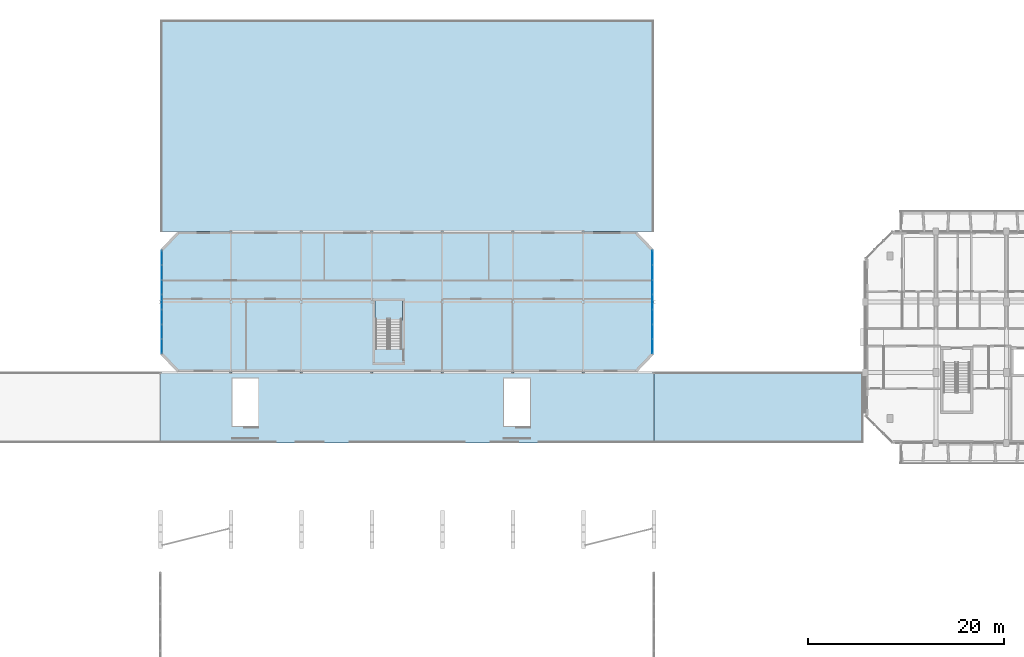
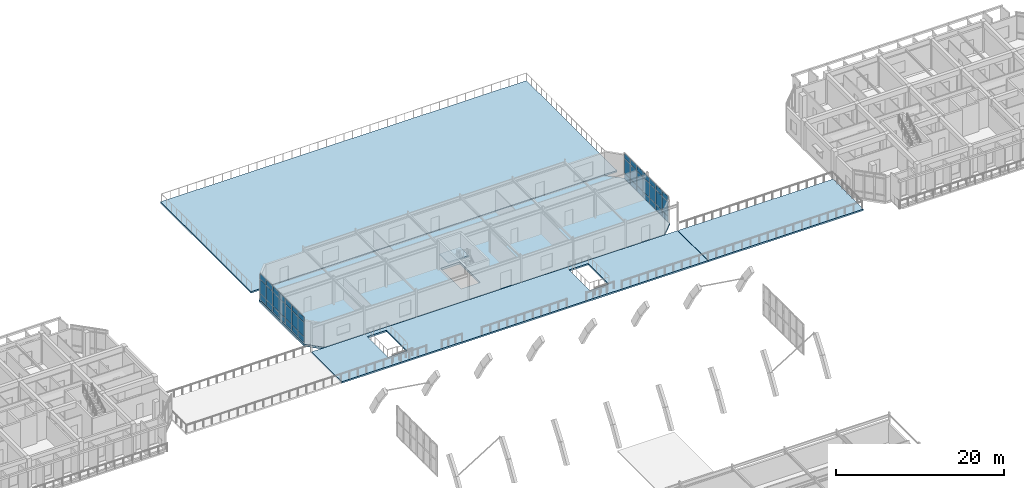
# One storey, part 39 of 85: 42 plates, 5 slabs, 3 elements without a shape of their own.
"""IFC4 building model written with IfcOpenShell, lengths in metres."""

from ifc_helpers import new_model, si_unit, direction, frame, origin, origin_2d, place, context, subcontext, project, spatial, polyline, rectangle, outline, extrude, material, layer, layer_set, type_object, element, aggregate, save


model = new_model("IFC4")

# Units and contexts
model_context = context("Model", 3, precision=1e-05, world=origin(), true_north=direction((0.0, 1.0)))
body_context = subcontext(model_context, "Body", "Model", "MODEL_VIEW")
ifc_project = project(units=[si_unit("LENGTHUNIT", "METRE"), si_unit("AREAUNIT", "SQUARE_METRE"), si_unit("VOLUMEUNIT", "CUBIC_METRE"), si_unit("PLANEANGLEUNIT", "RADIAN"), si_unit("MASSUNIT", "GRAM", prefix="KILO")], contexts=[model_context])

# Site, building, storey
site_placement = place(None, origin())
site = spatial("IfcSite", under=ifc_project, at=site_placement, CompositionType="ELEMENT")
building_placement = place(site_placement, origin())
building = spatial("IfcBuilding", under=site, at=building_placement, Name="Ochrevale Crest", CompositionType="ELEMENT")
storey_placement = place(building_placement, frame((0.0, 0.0, 4.5)))
storey = spatial("IfcBuildingStorey", under=building, at=storey_placement, Name="L01", CompositionType="ELEMENT", Elevation=4.5)

# Curtain wall, plates
ifc_material_1 = material(Name="Anodised aluminium 6063-T5", Category="aluminium")
ifc_layer_1 = layer(ifc_material_1, 0.14990234375)
ifc_layer_set_1 = layer_set([ifc_layer_1], Name="Anodised aluminium 6063-T5")
curtain_wall_type = type_object("IfcCurtainWallType", Name="CW-NUR-540x385", PredefinedType="NOTDEFINED", material=ifc_layer_set_1)
curtain_wall_1_placement = place(storey_placement, origin())
curtain_wall_1 = element("IfcCurtainWall", 1, at=curtain_wall_1_placement, inside=storey, type_object=curtain_wall_type, Name="Nursery Pavilion W glazed playroom curtain wall", PredefinedType="NOTDEFINED")
ifc_material_2 = material(Name="Acoustic laminated low-E insulated glass unit", Category="glass")
ifc_layer_2 = layer(ifc_material_2, 0.0380859375)
ifc_layer_set_2 = layer_set([ifc_layer_2], Name="Acoustic laminated low-E insulated glass unit")
plate_type = type_object("IfcPlateType", Name="CW-PNL-IGU38", PredefinedType="CURTAIN_PANEL", material=ifc_layer_set_2)
plate_1_placement = place(storey_placement, frame((57.75, 81.873291015625, 0.06005859375), z_axis=(0.0, 0.0, 1.0), x_axis=(0.0, 1.0, 0.0)))
plate_1 = element("IfcPlate", 2, at=plate_1_placement, type_object=plate_type, Name="CW10 panel 1.1", PredefinedType="CURTAIN_PANEL", context=body_context, shape_type="SweptSolid", body=[
    extrude(rectangle(XDim=1.416748046875, YDim=0.0380859375, at=origin_2d()), origin(), (0.0, 0.0, 1.0), 0.81005859375),
])
plate_2_placement = place(storey_placement, frame((57.75, 81.873291015625, 0.929931640625), z_axis=(0.0, 0.0, 1.0), x_axis=(0.0, 1.0, 0.0)))
plate_2 = element("IfcPlate", 3, at=plate_2_placement, type_object=plate_type, Name="CW10 panel 1.2", PredefinedType="CURTAIN_PANEL", context=body_context, shape_type="SweptSolid", body=[
    extrude(rectangle(XDim=1.416748046875, YDim=0.0380859375, at=origin_2d()), origin(), (0.0, 0.0, 1.0), 2.0400390625),
])
plate_3_placement = place(storey_placement, frame((57.75, 81.873291015625, 3.02978515625), z_axis=(0.0, 0.0, 1.0), x_axis=(0.0, 1.0, 0.0)))
plate_3 = element("IfcPlate", 4, at=plate_3_placement, type_object=plate_type, Name="CW10 panel 1.3", PredefinedType="CURTAIN_PANEL", context=body_context, shape_type="SweptSolid", body=[
    extrude(rectangle(XDim=1.416748046875, YDim=0.0380859375, at=origin_2d()), origin(), (0.0, 0.0, 1.0), 0.760009765625),
])
plate_4_placement = place(storey_placement, frame((57.75, 83.371337890625, 0.06005859375), z_axis=(0.0, 0.0, 1.0), x_axis=(0.0, 1.0, 0.0)))
plate_4 = element("IfcPlate", 5, at=plate_4_placement, type_object=plate_type, Name="CW10 panel 2.1", PredefinedType="CURTAIN_PANEL", context=body_context, shape_type="SweptSolid", body=[
    extrude(rectangle(XDim=1.44921875, YDim=0.0380859375, at=origin_2d()), origin(), (0.0, 0.0, 1.0), 0.81005859375),
])
plate_5_placement = place(storey_placement, frame((57.75, 83.371337890625, 0.929931640625), z_axis=(0.0, 0.0, 1.0), x_axis=(0.0, 1.0, 0.0)))
plate_5 = element("IfcPlate", 6, at=plate_5_placement, type_object=plate_type, Name="CW10 panel 2.2", PredefinedType="CURTAIN_PANEL", context=body_context, shape_type="SweptSolid", body=[
    extrude(rectangle(XDim=1.44921875, YDim=0.0380859375, at=origin_2d()), origin(), (0.0, 0.0, 1.0), 2.0400390625),
])
plate_6_placement = place(storey_placement, frame((57.75, 83.371337890625, 3.02978515625), z_axis=(0.0, 0.0, 1.0), x_axis=(0.0, 1.0, 0.0)))
plate_6 = element("IfcPlate", 7, at=plate_6_placement, type_object=plate_type, Name="CW10 panel 2.3", PredefinedType="CURTAIN_PANEL", context=body_context, shape_type="SweptSolid", body=[
    extrude(rectangle(XDim=1.44921875, YDim=0.0380859375, at=origin_2d()), origin(), (0.0, 0.0, 1.0), 0.760009765625),
])
plate_7_placement = place(storey_placement, frame((57.75, 84.8857421875, 0.06005859375), z_axis=(0.0, 0.0, 1.0), x_axis=(0.0, 1.0, 0.0)))
plate_7 = element("IfcPlate", 8, at=plate_7_placement, type_object=plate_type, Name="CW10 panel 3.1", PredefinedType="CURTAIN_PANEL", context=body_context, shape_type="SweptSolid", body=[
    extrude(rectangle(XDim=1.44921875, YDim=0.0380859375, at=origin_2d()), origin(), (0.0, 0.0, 1.0), 0.81005859375),
])
plate_8_placement = place(storey_placement, frame((57.75, 84.8857421875, 0.929931640625), z_axis=(0.0, 0.0, 1.0), x_axis=(0.0, 1.0, 0.0)))
plate_8 = element("IfcPlate", 9, at=plate_8_placement, type_object=plate_type, Name="CW10 panel 3.2", PredefinedType="CURTAIN_PANEL", context=body_context, shape_type="SweptSolid", body=[
    extrude(rectangle(XDim=1.44921875, YDim=0.0380859375, at=origin_2d()), origin(), (0.0, 0.0, 1.0), 2.0400390625),
])
plate_9_placement = place(storey_placement, frame((57.75, 84.8857421875, 3.02978515625), z_axis=(0.0, 0.0, 1.0), x_axis=(0.0, 1.0, 0.0)))
plate_9 = element("IfcPlate", 10, at=plate_9_placement, type_object=plate_type, Name="CW10 panel 3.3", PredefinedType="CURTAIN_PANEL", context=body_context, shape_type="SweptSolid", body=[
    extrude(rectangle(XDim=1.44921875, YDim=0.0380859375, at=origin_2d()), origin(), (0.0, 0.0, 1.0), 0.760009765625),
])
plate_10_placement = place(storey_placement, frame((57.75, 86.39990234375, 0.06005859375), z_axis=(0.0, 0.0, 1.0), x_axis=(0.0, 1.0, 0.0)))
plate_10 = element("IfcPlate", 11, at=plate_10_placement, type_object=plate_type, Name="CW10 panel 4.1", PredefinedType="CURTAIN_PANEL", context=body_context, shape_type="SweptSolid", body=[
    extrude(rectangle(XDim=1.44921875, YDim=0.0380859375, at=origin_2d()), origin(), (0.0, 0.0, 1.0), 0.81005859375),
])
plate_11_placement = place(storey_placement, frame((57.75, 86.39990234375, 0.929931640625), z_axis=(0.0, 0.0, 1.0), x_axis=(0.0, 1.0, 0.0)))
plate_11 = element("IfcPlate", 12, at=plate_11_placement, type_object=plate_type, Name="CW10 panel 4.2", PredefinedType="CURTAIN_PANEL", context=body_context, shape_type="SweptSolid", body=[
    extrude(rectangle(XDim=1.44921875, YDim=0.0380859375, at=origin_2d()), origin(), (0.0, 0.0, 1.0), 2.0400390625),
])
plate_12_placement = place(storey_placement, frame((57.75, 86.39990234375, 3.02978515625), z_axis=(0.0, 0.0, 1.0), x_axis=(0.0, 1.0, 0.0)))
plate_12 = element("IfcPlate", 13, at=plate_12_placement, type_object=plate_type, Name="CW10 panel 4.3", PredefinedType="CURTAIN_PANEL", context=body_context, shape_type="SweptSolid", body=[
    extrude(rectangle(XDim=1.44921875, YDim=0.0380859375, at=origin_2d()), origin(), (0.0, 0.0, 1.0), 0.760009765625),
])
plate_13_placement = place(storey_placement, frame((57.75, 87.914306640625, 0.06005859375), z_axis=(0.0, 0.0, 1.0), x_axis=(0.0, 1.0, 0.0)))
plate_13 = element("IfcPlate", 14, at=plate_13_placement, type_object=plate_type, Name="CW10 panel 5.1", PredefinedType="CURTAIN_PANEL", context=body_context, shape_type="SweptSolid", body=[
    extrude(rectangle(XDim=1.44921875, YDim=0.0380859375, at=origin_2d()), origin(), (0.0, 0.0, 1.0), 0.81005859375),
])
plate_14_placement = place(storey_placement, frame((57.75, 87.914306640625, 0.929931640625), z_axis=(0.0, 0.0, 1.0), x_axis=(0.0, 1.0, 0.0)))
plate_14 = element("IfcPlate", 15, at=plate_14_placement, type_object=plate_type, Name="CW10 panel 5.2", PredefinedType="CURTAIN_PANEL", context=body_context, shape_type="SweptSolid", body=[
    extrude(rectangle(XDim=1.44921875, YDim=0.0380859375, at=origin_2d()), origin(), (0.0, 0.0, 1.0), 2.0400390625),
])
plate_15_placement = place(storey_placement, frame((57.75, 87.914306640625, 3.02978515625), z_axis=(0.0, 0.0, 1.0), x_axis=(0.0, 1.0, 0.0)))
plate_15 = element("IfcPlate", 16, at=plate_15_placement, type_object=plate_type, Name="CW10 panel 5.3", PredefinedType="CURTAIN_PANEL", context=body_context, shape_type="SweptSolid", body=[
    extrude(rectangle(XDim=1.44921875, YDim=0.0380859375, at=origin_2d()), origin(), (0.0, 0.0, 1.0), 0.760009765625),
])
plate_16_placement = place(storey_placement, frame((57.75, 89.428466796875, 0.06005859375), z_axis=(0.0, 0.0, 1.0), x_axis=(0.0, 1.0, 0.0)))
plate_16 = element("IfcPlate", 17, at=plate_16_placement, type_object=plate_type, Name="CW10 panel 6.1", PredefinedType="CURTAIN_PANEL", context=body_context, shape_type="SweptSolid", body=[
    extrude(rectangle(XDim=1.44921875, YDim=0.0380859375, at=origin_2d()), origin(), (0.0, 0.0, 1.0), 0.81005859375),
])
plate_17_placement = place(storey_placement, frame((57.75, 89.428466796875, 0.929931640625), z_axis=(0.0, 0.0, 1.0), x_axis=(0.0, 1.0, 0.0)))
plate_17 = element("IfcPlate", 18, at=plate_17_placement, type_object=plate_type, Name="CW10 panel 6.2", PredefinedType="CURTAIN_PANEL", context=body_context, shape_type="SweptSolid", body=[
    extrude(rectangle(XDim=1.44921875, YDim=0.0380859375, at=origin_2d()), origin(), (0.0, 0.0, 1.0), 2.0400390625),
])
plate_18_placement = place(storey_placement, frame((57.75, 89.428466796875, 3.02978515625), z_axis=(0.0, 0.0, 1.0), x_axis=(0.0, 1.0, 0.0)))
plate_18 = element("IfcPlate", 19, at=plate_18_placement, type_object=plate_type, Name="CW10 panel 6.3", PredefinedType="CURTAIN_PANEL", context=body_context, shape_type="SweptSolid", body=[
    extrude(rectangle(XDim=1.44921875, YDim=0.0380859375, at=origin_2d()), origin(), (0.0, 0.0, 1.0), 0.760009765625),
])
plate_19_placement = place(storey_placement, frame((57.75, 90.926513671875, 0.06005859375), z_axis=(0.0, 0.0, 1.0), x_axis=(0.0, 1.0, 0.0)))
plate_19 = element("IfcPlate", 20, at=plate_19_placement, type_object=plate_type, Name="CW10 panel 7.1", PredefinedType="CURTAIN_PANEL", context=body_context, shape_type="SweptSolid", body=[
    extrude(rectangle(XDim=1.416748046875, YDim=0.0380859375, at=origin_2d()), origin(), (0.0, 0.0, 1.0), 0.81005859375),
])
plate_20_placement = place(storey_placement, frame((57.75, 90.926513671875, 0.929931640625), z_axis=(0.0, 0.0, 1.0), x_axis=(0.0, 1.0, 0.0)))
plate_20 = element("IfcPlate", 21, at=plate_20_placement, type_object=plate_type, Name="CW10 panel 7.2", PredefinedType="CURTAIN_PANEL", context=body_context, shape_type="SweptSolid", body=[
    extrude(rectangle(XDim=1.416748046875, YDim=0.0380859375, at=origin_2d()), origin(), (0.0, 0.0, 1.0), 2.0400390625),
])
plate_21_placement = place(storey_placement, frame((57.75, 90.926513671875, 3.02978515625), z_axis=(0.0, 0.0, 1.0), x_axis=(0.0, 1.0, 0.0)))
plate_21 = element("IfcPlate", 22, at=plate_21_placement, type_object=plate_type, Name="CW10 panel 7.3", PredefinedType="CURTAIN_PANEL", context=body_context, shape_type="SweptSolid", body=[
    extrude(rectangle(XDim=1.416748046875, YDim=0.0380859375, at=origin_2d()), origin(), (0.0, 0.0, 1.0), 0.760009765625),
])
aggregate(curtain_wall_1, [plate_1, plate_2, plate_3, plate_4, plate_5, plate_6, plate_7, plate_8, plate_9, plate_10, plate_11, plate_12, plate_13, plate_14, plate_15, plate_16, plate_17, plate_18, plate_19, plate_20, plate_21])

curtain_wall_2_placement = place(storey_placement, origin())
curtain_wall_2 = element("IfcCurtainWall", 23, at=curtain_wall_2_placement, inside=storey, type_object=curtain_wall_type, Name="Nursery Pavilion E glazed playroom curtain wall", PredefinedType="NOTDEFINED")
plate_22_placement = place(storey_placement, frame((107.85009765625, 81.873291015625, 0.06005859375), z_axis=(0.0, 0.0, 1.0), x_axis=(0.0, 1.0, 0.0)))
plate_22 = element("IfcPlate", 24, at=plate_22_placement, type_object=plate_type, Name="CW10 panel 1.1", PredefinedType="CURTAIN_PANEL", context=body_context, shape_type="SweptSolid", body=[
    extrude(rectangle(XDim=1.416748046875, YDim=0.0380859375, at=origin_2d()), origin(), (0.0, 0.0, 1.0), 0.81005859375),
])
plate_23_placement = place(storey_placement, frame((107.85009765625, 81.873291015625, 0.929931640625), z_axis=(0.0, 0.0, 1.0), x_axis=(0.0, 1.0, 0.0)))
plate_23 = element("IfcPlate", 25, at=plate_23_placement, type_object=plate_type, Name="CW10 panel 1.2", PredefinedType="CURTAIN_PANEL", context=body_context, shape_type="SweptSolid", body=[
    extrude(rectangle(XDim=1.416748046875, YDim=0.0380859375, at=origin_2d()), origin(), (0.0, 0.0, 1.0), 2.0400390625),
])
plate_24_placement = place(storey_placement, frame((107.85009765625, 81.873291015625, 3.02978515625), z_axis=(0.0, 0.0, 1.0), x_axis=(0.0, 1.0, 0.0)))
plate_24 = element("IfcPlate", 26, at=plate_24_placement, type_object=plate_type, Name="CW10 panel 1.3", PredefinedType="CURTAIN_PANEL", context=body_context, shape_type="SweptSolid", body=[
    extrude(rectangle(XDim=1.416748046875, YDim=0.0380859375, at=origin_2d()), origin(), (0.0, 0.0, 1.0), 0.760009765625),
])
plate_25_placement = place(storey_placement, frame((107.85009765625, 83.371337890625, 0.06005859375), z_axis=(0.0, 0.0, 1.0), x_axis=(0.0, 1.0, 0.0)))
plate_25 = element("IfcPlate", 27, at=plate_25_placement, type_object=plate_type, Name="CW10 panel 2.1", PredefinedType="CURTAIN_PANEL", context=body_context, shape_type="SweptSolid", body=[
    extrude(rectangle(XDim=1.44921875, YDim=0.0380859375, at=origin_2d()), origin(), (0.0, 0.0, 1.0), 0.81005859375),
])
plate_26_placement = place(storey_placement, frame((107.85009765625, 83.371337890625, 0.929931640625), z_axis=(0.0, 0.0, 1.0), x_axis=(0.0, 1.0, 0.0)))
plate_26 = element("IfcPlate", 28, at=plate_26_placement, type_object=plate_type, Name="CW10 panel 2.2", PredefinedType="CURTAIN_PANEL", context=body_context, shape_type="SweptSolid", body=[
    extrude(rectangle(XDim=1.44921875, YDim=0.0380859375, at=origin_2d()), origin(), (0.0, 0.0, 1.0), 2.0400390625),
])
plate_27_placement = place(storey_placement, frame((107.85009765625, 83.371337890625, 3.02978515625), z_axis=(0.0, 0.0, 1.0), x_axis=(0.0, 1.0, 0.0)))
plate_27 = element("IfcPlate", 29, at=plate_27_placement, type_object=plate_type, Name="CW10 panel 2.3", PredefinedType="CURTAIN_PANEL", context=body_context, shape_type="SweptSolid", body=[
    extrude(rectangle(XDim=1.44921875, YDim=0.0380859375, at=origin_2d()), origin(), (0.0, 0.0, 1.0), 0.760009765625),
])
plate_28_placement = place(storey_placement, frame((107.85009765625, 84.8857421875, 0.06005859375), z_axis=(0.0, 0.0, 1.0), x_axis=(0.0, 1.0, 0.0)))
plate_28 = element("IfcPlate", 30, at=plate_28_placement, type_object=plate_type, Name="CW10 panel 3.1", PredefinedType="CURTAIN_PANEL", context=body_context, shape_type="SweptSolid", body=[
    extrude(rectangle(XDim=1.44921875, YDim=0.0380859375, at=origin_2d()), origin(), (0.0, 0.0, 1.0), 0.81005859375),
])
plate_29_placement = place(storey_placement, frame((107.85009765625, 84.8857421875, 0.929931640625), z_axis=(0.0, 0.0, 1.0), x_axis=(0.0, 1.0, 0.0)))
plate_29 = element("IfcPlate", 31, at=plate_29_placement, type_object=plate_type, Name="CW10 panel 3.2", PredefinedType="CURTAIN_PANEL", context=body_context, shape_type="SweptSolid", body=[
    extrude(rectangle(XDim=1.44921875, YDim=0.0380859375, at=origin_2d()), origin(), (0.0, 0.0, 1.0), 2.0400390625),
])
plate_30_placement = place(storey_placement, frame((107.85009765625, 84.8857421875, 3.02978515625), z_axis=(0.0, 0.0, 1.0), x_axis=(0.0, 1.0, 0.0)))
plate_30 = element("IfcPlate", 32, at=plate_30_placement, type_object=plate_type, Name="CW10 panel 3.3", PredefinedType="CURTAIN_PANEL", context=body_context, shape_type="SweptSolid", body=[
    extrude(rectangle(XDim=1.44921875, YDim=0.0380859375, at=origin_2d()), origin(), (0.0, 0.0, 1.0), 0.760009765625),
])
plate_31_placement = place(storey_placement, frame((107.85009765625, 86.39990234375, 0.06005859375), z_axis=(0.0, 0.0, 1.0), x_axis=(0.0, 1.0, 0.0)))
plate_31 = element("IfcPlate", 33, at=plate_31_placement, type_object=plate_type, Name="CW10 panel 4.1", PredefinedType="CURTAIN_PANEL", context=body_context, shape_type="SweptSolid", body=[
    extrude(rectangle(XDim=1.44921875, YDim=0.0380859375, at=origin_2d()), origin(), (0.0, 0.0, 1.0), 0.81005859375),
])
plate_32_placement = place(storey_placement, frame((107.85009765625, 86.39990234375, 0.929931640625), z_axis=(0.0, 0.0, 1.0), x_axis=(0.0, 1.0, 0.0)))
plate_32 = element("IfcPlate", 34, at=plate_32_placement, type_object=plate_type, Name="CW10 panel 4.2", PredefinedType="CURTAIN_PANEL", context=body_context, shape_type="SweptSolid", body=[
    extrude(rectangle(XDim=1.44921875, YDim=0.0380859375, at=origin_2d()), origin(), (0.0, 0.0, 1.0), 2.0400390625),
])
plate_33_placement = place(storey_placement, frame((107.85009765625, 86.39990234375, 3.02978515625), z_axis=(0.0, 0.0, 1.0), x_axis=(0.0, 1.0, 0.0)))
plate_33 = element("IfcPlate", 35, at=plate_33_placement, type_object=plate_type, Name="CW10 panel 4.3", PredefinedType="CURTAIN_PANEL", context=body_context, shape_type="SweptSolid", body=[
    extrude(rectangle(XDim=1.44921875, YDim=0.0380859375, at=origin_2d()), origin(), (0.0, 0.0, 1.0), 0.760009765625),
])
plate_34_placement = place(storey_placement, frame((107.85009765625, 87.914306640625, 0.06005859375), z_axis=(0.0, 0.0, 1.0), x_axis=(0.0, 1.0, 0.0)))
plate_34 = element("IfcPlate", 36, at=plate_34_placement, type_object=plate_type, Name="CW10 panel 5.1", PredefinedType="CURTAIN_PANEL", context=body_context, shape_type="SweptSolid", body=[
    extrude(rectangle(XDim=1.44921875, YDim=0.0380859375, at=origin_2d()), origin(), (0.0, 0.0, 1.0), 0.81005859375),
])
plate_35_placement = place(storey_placement, frame((107.85009765625, 87.914306640625, 0.929931640625), z_axis=(0.0, 0.0, 1.0), x_axis=(0.0, 1.0, 0.0)))
plate_35 = element("IfcPlate", 37, at=plate_35_placement, type_object=plate_type, Name="CW10 panel 5.2", PredefinedType="CURTAIN_PANEL", context=body_context, shape_type="SweptSolid", body=[
    extrude(rectangle(XDim=1.44921875, YDim=0.0380859375, at=origin_2d()), origin(), (0.0, 0.0, 1.0), 2.0400390625),
])
plate_36_placement = place(storey_placement, frame((107.85009765625, 87.914306640625, 3.02978515625), z_axis=(0.0, 0.0, 1.0), x_axis=(0.0, 1.0, 0.0)))
plate_36 = element("IfcPlate", 38, at=plate_36_placement, type_object=plate_type, Name="CW10 panel 5.3", PredefinedType="CURTAIN_PANEL", context=body_context, shape_type="SweptSolid", body=[
    extrude(rectangle(XDim=1.44921875, YDim=0.0380859375, at=origin_2d()), origin(), (0.0, 0.0, 1.0), 0.760009765625),
])
plate_37_placement = place(storey_placement, frame((107.85009765625, 89.428466796875, 0.06005859375), z_axis=(0.0, 0.0, 1.0), x_axis=(0.0, 1.0, 0.0)))
plate_37 = element("IfcPlate", 39, at=plate_37_placement, type_object=plate_type, Name="CW10 panel 6.1", PredefinedType="CURTAIN_PANEL", context=body_context, shape_type="SweptSolid", body=[
    extrude(rectangle(XDim=1.44921875, YDim=0.0380859375, at=origin_2d()), origin(), (0.0, 0.0, 1.0), 0.81005859375),
])
plate_38_placement = place(storey_placement, frame((107.85009765625, 89.428466796875, 0.929931640625), z_axis=(0.0, 0.0, 1.0), x_axis=(0.0, 1.0, 0.0)))
plate_38 = element("IfcPlate", 40, at=plate_38_placement, type_object=plate_type, Name="CW10 panel 6.2", PredefinedType="CURTAIN_PANEL", context=body_context, shape_type="SweptSolid", body=[
    extrude(rectangle(XDim=1.44921875, YDim=0.0380859375, at=origin_2d()), origin(), (0.0, 0.0, 1.0), 2.0400390625),
])
plate_39_placement = place(storey_placement, frame((107.85009765625, 89.428466796875, 3.02978515625), z_axis=(0.0, 0.0, 1.0), x_axis=(0.0, 1.0, 0.0)))
plate_39 = element("IfcPlate", 41, at=plate_39_placement, type_object=plate_type, Name="CW10 panel 6.3", PredefinedType="CURTAIN_PANEL", context=body_context, shape_type="SweptSolid", body=[
    extrude(rectangle(XDim=1.44921875, YDim=0.0380859375, at=origin_2d()), origin(), (0.0, 0.0, 1.0), 0.760009765625),
])
plate_40_placement = place(storey_placement, frame((107.85009765625, 90.926513671875, 0.06005859375), z_axis=(0.0, 0.0, 1.0), x_axis=(0.0, 1.0, 0.0)))
plate_40 = element("IfcPlate", 42, at=plate_40_placement, type_object=plate_type, Name="CW10 panel 7.1", PredefinedType="CURTAIN_PANEL", context=body_context, shape_type="SweptSolid", body=[
    extrude(rectangle(XDim=1.416748046875, YDim=0.0380859375, at=origin_2d()), origin(), (0.0, 0.0, 1.0), 0.81005859375),
])
plate_41_placement = place(storey_placement, frame((107.85009765625, 90.926513671875, 0.929931640625), z_axis=(0.0, 0.0, 1.0), x_axis=(0.0, 1.0, 0.0)))
plate_41 = element("IfcPlate", 43, at=plate_41_placement, type_object=plate_type, Name="CW10 panel 7.2", PredefinedType="CURTAIN_PANEL", context=body_context, shape_type="SweptSolid", body=[
    extrude(rectangle(XDim=1.416748046875, YDim=0.0380859375, at=origin_2d()), origin(), (0.0, 0.0, 1.0), 2.0400390625),
])
plate_42_placement = place(storey_placement, frame((107.85009765625, 90.926513671875, 3.02978515625), z_axis=(0.0, 0.0, 1.0), x_axis=(0.0, 1.0, 0.0)))
plate_42 = element("IfcPlate", 44, at=plate_42_placement, type_object=plate_type, Name="CW10 panel 7.3", PredefinedType="CURTAIN_PANEL", context=body_context, shape_type="SweptSolid", body=[
    extrude(rectangle(XDim=1.416748046875, YDim=0.0380859375, at=origin_2d()), origin(), (0.0, 0.0, 1.0), 0.760009765625),
])
aggregate(curtain_wall_2, [plate_22, plate_23, plate_24, plate_25, plate_26, plate_27, plate_28, plate_29, plate_30, plate_31, plate_32, plate_33, plate_34, plate_35, plate_36, plate_37, plate_38, plate_39, plate_40, plate_41, plate_42])

# Slab
ifc_material_3 = material(Name="Precast concrete C40/50", Category="concrete")
ifc_layer_3 = layer(ifc_material_3, 0.324951171875)
ifc_layer_set_3 = layer_set([ifc_layer_3], Name="Precast concrete C40/50")
slab_type_1 = type_object("IfcSlabType", Name="SLB-POD-325", PredefinedType="FLOOR", material=ifc_layer_set_3)
slab_1_placement = place(storey_placement, frame((0.0, 0.0, -0.324951171875)))
element("IfcSlab", 45, at=slab_1_placement, inside=storey, type_object=slab_type_1, Name="Early Childhood Nursery Pavilion L01 floor slab", PredefinedType="FLOOR", context=body_context, shape_type="SweptSolid", body=[
    extrude(outline(polyline([(59.425048828125, 79.25), (106.175048828125, 79.25), (107.97509765625, 81.050048828125), (107.97509765625, 91.75), (106.175048828125, 93.550048828125), (59.425048828125, 93.550048828125), (57.625, 91.75), (57.625, 81.050048828125), (59.425048828125, 79.25)]), holes=[polyline([(82.25, 81.625), (82.25, 86.52490234375), (79.60009765625, 86.52490234375), (79.60009765625, 81.625), (82.25, 81.625)])]), origin(), (0.0, 0.0, 1.0), 0.324951171875),
])

# Stair, slab
stair_type = type_object("IfcStairType", Name="ST-CIVIC-DOG", PredefinedType="HALF_TURN_STAIR", material=ifc_material_3)
stair_placement = place(storey_placement, origin())
stair = element("IfcStair", 46, at=stair_placement, inside=storey, type_object=stair_type, Name="L01 Nursery Roof-Garden Stair", PredefinedType="HALF_TURN_STAIR")
ifc_layer_4 = layer(ifc_material_3, 0.199951171875)
ifc_layer_set_4 = layer_set([ifc_layer_4], Name="Precast concrete C40/50")
slab_type_2 = type_object("IfcSlabType", Name="SLB-ST-LAND", PredefinedType="LANDING", material=ifc_layer_set_4)
slab_2_placement = place(storey_placement, frame((0.0, 0.0, 1.89990234375)))
slab_2 = element("IfcSlab", 47, at=slab_2_placement, type_object=slab_type_2, Name="ST-N1 landing 1", PredefinedType="LANDING", context=body_context, shape_type="SweptSolid", body=[
    extrude(outline(polyline([(82.330078125, 84.574951171875), (82.330078125, 86.60498046875), (79.52001953125, 86.60498046875), (79.52001953125, 84.574951171875), (82.330078125, 84.574951171875)])), origin(), (0.0, 0.0, 1.0), 0.2001953125),
])
aggregate(stair, [slab_2])

# Slabs
ifc_material_4 = material(Name="Concrete C40/50", Category="concrete")
ifc_layer_5 = layer(ifc_material_4, 0.22509765625)
ifc_layer_set_5 = layer_set([ifc_layer_5], Name="Concrete C40/50")
slab_type_3 = type_object("IfcSlabType", Name="SLB-TER-225", PredefinedType="FLOOR", material=ifc_layer_set_5)
slab_3_placement = place(storey_placement, frame((0.0, 0.0, -0.22509765625)))
element("IfcSlab", 48, at=slab_3_placement, inside=storey, type_object=slab_type_3, Name="Upper hillside nursery promenade terrace Step 3 C", PredefinedType="FLOOR", context=body_context, shape_type="SweptSolid", body=[
    extrude(outline(polyline([(57.625, 72.0), (107.97509765625, 72.0), (107.97509765625, 79.199951171875), (57.625, 79.199951171875), (57.625, 72.0)]), holes=[polyline([(67.60009765625, 73.699951171875), (67.60009765625, 78.60009765625), (64.949951171875, 78.60009765625), (64.949951171875, 73.699951171875), (67.60009765625, 73.699951171875)]), polyline([(95.35009765625, 73.699951171875), (95.35009765625, 78.60009765625), (92.699951171875, 78.60009765625), (92.699951171875, 73.699951171875), (95.35009765625, 73.699951171875)])]), origin(), (0.0, 0.0, 1.0), 0.22509765625),
])
slab_4_placement = place(storey_placement, frame((0.0, 0.0, -0.22509765625)))
element("IfcSlab", 49, at=slab_4_placement, inside=storey, type_object=slab_type_3, Name="Upper hillside nursery promenade terrace Step 3 E", PredefinedType="FLOOR", context=body_context, shape_type="SweptSolid", body=[
    extrude(outline(polyline([(108.02490234375, 72.0), (129.39990234375, 72.0), (129.39990234375, 79.199951171875), (108.02490234375, 79.199951171875), (108.02490234375, 72.0)])), origin(), (0.0, 0.0, 1.0), 0.22509765625),
])
slab_5_placement = place(storey_placement, frame((0.0, 0.0, -0.22509765625)))
element("IfcSlab", 50, at=slab_5_placement, inside=storey, type_object=slab_type_3, Name="Fenced outdoor nursery play terrace", PredefinedType="FLOOR", context=body_context, shape_type="SweptSolid", body=[
    extrude(outline(polyline([(57.625, 93.6201171875), (107.97509765625, 93.6201171875), (107.97509765625, 115.199951171875), (57.625, 115.199951171875), (57.625, 93.6201171875)])), origin(), (0.0, 0.0, 1.0), 0.22509765625),
])

save(model, "model.ifc")
